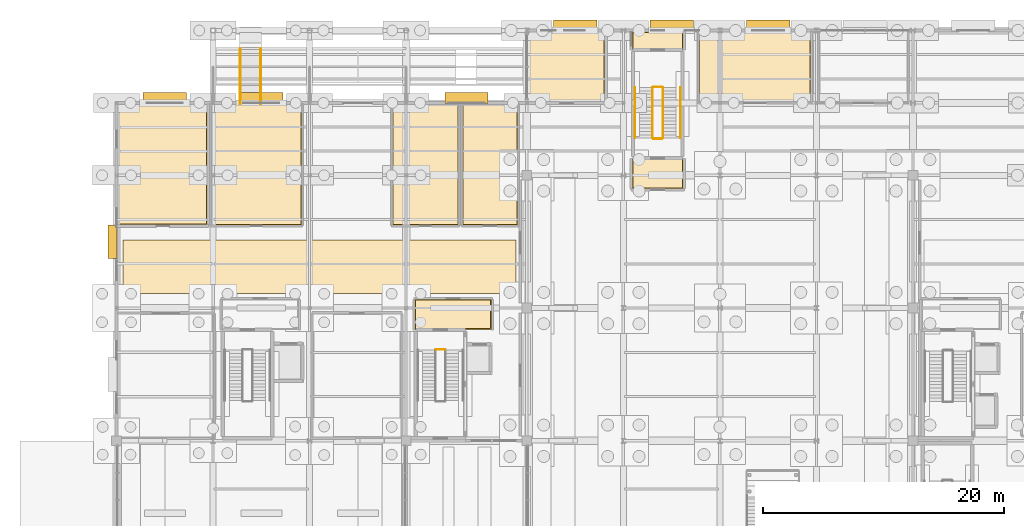
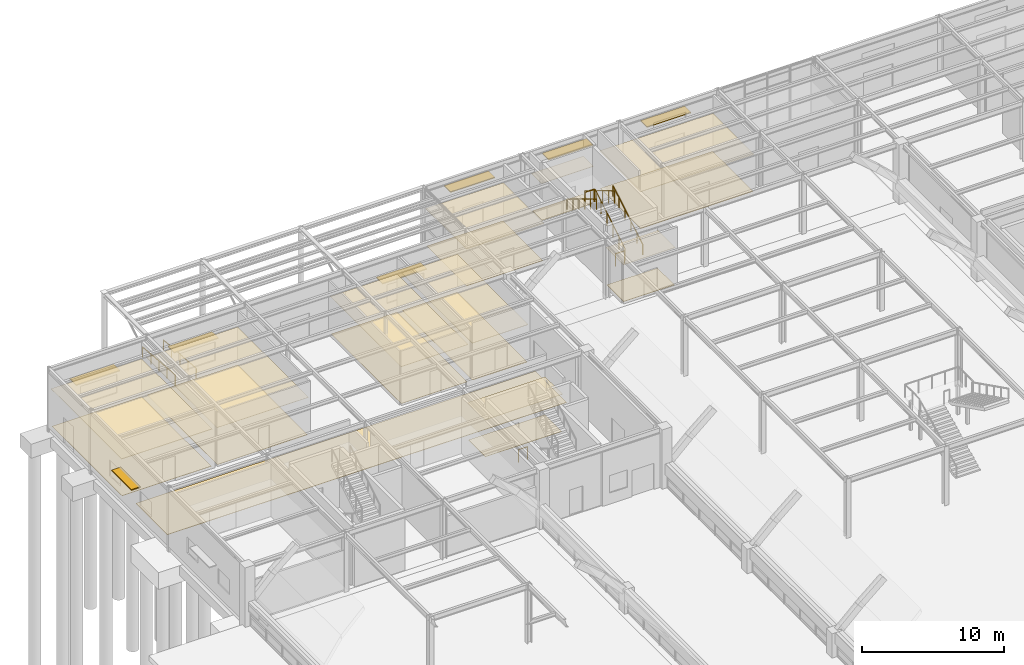
# One storey, part 123 of 129: 19 coverings, 9 railings, 7 shading devices.
"""IFC4 building model written with IfcOpenShell, lengths in metres."""

from ifc_helpers import new_model, si_unit, direction, frame, origin, origin_2d, place, context, subcontext, project, spatial, polyline, rectangle, circle, outline, extrude, material, layer, layer_set, type_object, element, save


model = new_model("IFC4")

# Units and contexts
model_context = context("Model", 3, precision=1e-05, world=origin(), true_north=direction((0.0, 1.0)))
body_context = subcontext(model_context, "Body", "Model", "MODEL_VIEW")
ifc_project = project(units=[si_unit("LENGTHUNIT", "METRE"), si_unit("AREAUNIT", "SQUARE_METRE"), si_unit("VOLUMEUNIT", "CUBIC_METRE"), si_unit("PLANEANGLEUNIT", "RADIAN"), si_unit("MASSUNIT", "GRAM", prefix="KILO")], contexts=[model_context])

# Site, building, storey
site_placement = place(None, origin())
site = spatial("IfcSite", under=ifc_project, at=site_placement, CompositionType="ELEMENT")
building_placement = place(site_placement, origin())
building = spatial("IfcBuilding", under=site, at=building_placement, Name="Sitalva Quay Ferry Terminal", CompositionType="ELEMENT")
storey_placement = place(building_placement, origin())
storey = spatial("IfcBuildingStorey", under=building, at=storey_placement, Name="L01", CompositionType="ELEMENT", Elevation=0.0)

# Coverings
ifc_material_1 = material(Name="Perforated Marine Aluminium Acoustic Ceiling", Category="aluminium")
ifc_layer_1 = layer(ifc_material_1, 0.0400390625)
ifc_layer_set_1 = layer_set([ifc_layer_1], Name="Perforated Marine Aluminium Acoustic Ceiling")
covering_type_1 = type_object("IfcCoveringType", Name="Ceiling_AcousticBaffle_40", PredefinedType="CEILING", material=ifc_layer_set_1)
covering_1_placement = place(storey_placement, frame((0.0, 0.0, 3.2099609375)))
element("IfcCovering", 1, at=covering_1_placement, inside=storey, type_object=covering_type_1, Name="Fire Command & Control Room ceiling", PredefinedType="CEILING", context=body_context, shape_type="SweptSolid", body=[
    extrude(outline(polyline([(42.1201171875, 106.114990234375), (48.43505859375, 106.114990234375), (48.43505859375, 111.8798828125), (42.1201171875, 111.8798828125), (42.1201171875, 106.114990234375)])), origin(), (0.0, 0.0, 1.0), 0.0400390625),
])
covering_2_placement = place(storey_placement, frame((0.0, 0.0, 3.2099609375)))
element("IfcCovering", 2, at=covering_2_placement, inside=storey, type_object=covering_type_1, Name="Ferry Ticketing Hall & Counters ceiling", PredefinedType="CEILING", context=body_context, shape_type="SweptSolid", body=[
    extrude(outline(polyline([(56.27490234375, 106.074951171875), (65.52490234375, 106.074951171875), (65.52490234375, 111.8798828125), (56.27490234375, 111.8798828125), (56.27490234375, 106.074951171875)])), origin(), (0.0, 0.0, 1.0), 0.0400390625),
])
covering_3_placement = place(storey_placement, frame((0.0, 0.0, 3.2099609375)))
element("IfcCovering", 3, at=covering_3_placement, inside=storey, type_object=covering_type_1, Name="Left-Luggage & Parcel Vault ceiling", PredefinedType="CEILING", context=body_context, shape_type="SweptSolid", body=[
    extrude(outline(polyline([(8.1201171875, 95.905029296875), (15.4951171875, 95.905029296875), (15.4951171875, 105.8798828125), (8.1201171875, 105.8798828125), (8.1201171875, 95.905029296875)])), origin(), (0.0, 0.0, 1.0), 0.0400390625),
])
ifc_material_2 = material(Name="Moisture-Resistant Acoustic Gypsum Ceiling", Category="gypsum")
ifc_layer_2 = layer(ifc_material_2, 0.02490234375)
ifc_layer_set_2 = layer_set([ifc_layer_2], Name="Moisture-Resistant Acoustic Gypsum Ceiling")
covering_type_2 = type_object("IfcCoveringType", Name="Ceiling_GypsumMoisture_25", PredefinedType="CEILING", material=ifc_layer_set_2)
covering_4_placement = place(storey_placement, frame((0.0, 0.0, 3.22509765625)))
element("IfcCovering", 4, at=covering_4_placement, inside=storey, type_object=covering_type_2, Name="Firefighting & Lift Lobby C5 ceiling", PredefinedType="CEILING", context=body_context, shape_type="SweptSolid", body=[
    extrude(outline(polyline([(32.739990234375, 87.239990234375), (39.06005859375, 87.239990234375), (39.06005859375, 89.7099609375), (32.739990234375, 89.7099609375), (32.739990234375, 87.239990234375)])), origin(), (0.0, 0.0, 1.0), 0.02490234375),
])
covering_5_placement = place(storey_placement, frame((0.0, 0.0, 3.22509765625)))
element("IfcCovering", 5, at=covering_5_placement, inside=storey, type_object=covering_type_2, Name="Firefighting & Lift Lobby C7 ceiling", PredefinedType="CEILING", context=body_context, shape_type="SweptSolid", body=[
    extrude(outline(polyline([(50.739990234375, 98.889892578125), (54.9599609375, 98.889892578125), (54.9599609375, 101.360107421875), (50.739990234375, 101.360107421875), (50.739990234375, 98.889892578125)])), origin(), (0.0, 0.0, 1.0), 0.02490234375),
])
covering_6_placement = place(storey_placement, frame((0.0, 0.0, 3.22509765625)))
element("IfcCovering", 6, at=covering_6_placement, inside=storey, type_object=covering_type_2, Name="Protected Exit Vestibule ST-07 ceiling", PredefinedType="CEILING", context=body_context, shape_type="SweptSolid", body=[
    extrude(outline(polyline([(50.739990234375, 110.43994140625), (54.9599609375, 110.43994140625), (54.9599609375, 111.8798828125), (50.739990234375, 111.8798828125), (50.739990234375, 110.43994140625)])), origin(), (0.0, 0.0, 1.0), 0.02490234375),
])
covering_7_placement = place(storey_placement, frame((0.0, 0.0, 3.22509765625)))
element("IfcCovering", 7, at=covering_7_placement, inside=storey, type_object=covering_type_2, Name="West Concourse Male Public Toilets ceiling", PredefinedType="CEILING", context=body_context, shape_type="SweptSolid", body=[
    extrude(outline(polyline([(15.8701171875, 95.8701171875), (23.330078125, 95.8701171875), (23.330078125, 105.8798828125), (15.8701171875, 105.8798828125), (15.8701171875, 95.8701171875)])), origin(), (0.0, 0.0, 1.0), 0.02490234375),
])
covering_8_placement = place(storey_placement, frame((0.0, 0.0, 3.22509765625)))
element("IfcCovering", 8, at=covering_8_placement, inside=storey, type_object=covering_type_2, Name="West Concourse Female Public Toilets ceiling", PredefinedType="CEILING", context=body_context, shape_type="SweptSolid", body=[
    extrude(outline(polyline([(30.8701171875, 95.8701171875), (36.330078125, 95.8701171875), (36.330078125, 105.8798828125), (30.8701171875, 105.8798828125), (30.8701171875, 95.8701171875)])), origin(), (0.0, 0.0, 1.0), 0.02490234375),
])
covering_9_placement = place(storey_placement, frame((0.0, 0.0, 3.22509765625)))
element("IfcCovering", 9, at=covering_9_placement, inside=storey, type_object=covering_type_2, Name="West Concourse Accessible Toilet & Baby Care ceiling", PredefinedType="CEILING", context=body_context, shape_type="SweptSolid", body=[
    extrude(outline(polyline([(36.669921875, 95.8701171875), (41.22998046875, 95.8701171875), (41.22998046875, 105.8798828125), (36.669921875, 105.8798828125), (36.669921875, 95.8701171875)])), origin(), (0.0, 0.0, 1.0), 0.02490234375),
])
ifc_material_3 = material(Name="Heavy-Duty Acoustic Resilient Flooring", Category="polymer")
ifc_layer_3 = layer(ifc_material_3, 0.014892578125)
ifc_layer_set_3 = layer_set([ifc_layer_3], Name="Heavy-Duty Acoustic Resilient Flooring")
covering_type_3 = type_object("IfcCoveringType", Name="Finish_AcousticVinyl_15", PredefinedType="FLOORING", material=ifc_layer_set_3)
covering_10_placement = place(storey_placement, origin())
element("IfcCovering", 10, at=covering_10_placement, inside=storey, type_object=covering_type_3, Name="Fire Command & Control Room floor finish", PredefinedType="FLOORING", context=body_context, shape_type="SweptSolid", body=[
    extrude(outline(polyline([(42.169921875, 106.1650390625), (48.385009765625, 106.1650390625), (48.385009765625, 111.830078125), (42.169921875, 111.830078125), (42.169921875, 106.1650390625)])), origin(), (0.0, 0.0, 1.0), 0.014892578125),
])
ifc_material_4 = material(Name="Anti-Slip Porcelain Tile", Category="ceramic")
ifc_layer_4 = layer(ifc_material_4, 0.02001953125)
ifc_layer_set_4 = layer_set([ifc_layer_4], Name="Anti-Slip Porcelain Tile")
covering_type_4 = type_object("IfcCoveringType", Name="Finish_CeramicWet_20", PredefinedType="FLOORING", material=ifc_layer_set_4)
covering_11_placement = place(storey_placement, origin())
element("IfcCovering", 11, at=covering_11_placement, inside=storey, type_object=covering_type_4, Name="West Concourse Male Public Toilets floor finish", PredefinedType="FLOORING", context=body_context, shape_type="SweptSolid", body=[
    extrude(outline(polyline([(15.919921875, 95.919921875), (23.280029296875, 95.919921875), (23.280029296875, 105.830078125), (15.919921875, 105.830078125), (15.919921875, 95.919921875)])), origin(), (0.0, 0.0, 1.0), 0.02001953125),
])
covering_12_placement = place(storey_placement, origin())
element("IfcCovering", 12, at=covering_12_placement, inside=storey, type_object=covering_type_4, Name="West Concourse Female Public Toilets floor finish", PredefinedType="FLOORING", context=body_context, shape_type="SweptSolid", body=[
    extrude(outline(polyline([(30.919921875, 95.919921875), (36.280029296875, 95.919921875), (36.280029296875, 105.830078125), (30.919921875, 105.830078125), (30.919921875, 95.919921875)])), origin(), (0.0, 0.0, 1.0), 0.02001953125),
])
covering_13_placement = place(storey_placement, origin())
element("IfcCovering", 13, at=covering_13_placement, inside=storey, type_object=covering_type_4, Name="West Concourse Accessible Toilet & Baby Care floor finish", PredefinedType="FLOORING", context=body_context, shape_type="SweptSolid", body=[
    extrude(outline(polyline([(36.719970703125, 95.919921875), (41.179931640625, 95.919921875), (41.179931640625, 105.830078125), (36.719970703125, 105.830078125), (36.719970703125, 95.919921875)])), origin(), (0.0, 0.0, 1.0), 0.02001953125),
])
ifc_material_5 = material(Name="Flamed Non-Slip Granite Paving", Category="masonry")
ifc_layer_5 = layer(ifc_material_5, 0.034912109375)
ifc_layer_set_5 = layer_set([ifc_layer_5], Name="Flamed Non-Slip Granite Paving")
covering_type_5 = type_object("IfcCoveringType", Name="Finish_Granite_35", PredefinedType="FLOORING", material=ifc_layer_set_5)
covering_14_placement = place(storey_placement, origin())
element("IfcCovering", 14, at=covering_14_placement, inside=storey, type_object=covering_type_5, Name="Firefighting & Lift Lobby C5 floor finish", PredefinedType="FLOORING", context=body_context, shape_type="SweptSolid", body=[
    extrude(outline(polyline([(32.7900390625, 87.2900390625), (39.010009765625, 87.2900390625), (39.010009765625, 89.659912109375), (32.7900390625, 89.659912109375), (32.7900390625, 87.2900390625)])), origin(), (0.0, 0.0, 1.0), 0.034912109375),
])
covering_15_placement = place(storey_placement, origin())
element("IfcCovering", 15, at=covering_15_placement, inside=storey, type_object=covering_type_5, Name="Firefighting & Lift Lobby C7 floor finish", PredefinedType="FLOORING", context=body_context, shape_type="SweptSolid", body=[
    extrude(outline(polyline([(50.7900390625, 98.93994140625), (54.909912109375, 98.93994140625), (54.909912109375, 101.31005859375), (50.7900390625, 101.31005859375), (50.7900390625, 98.93994140625)])), origin(), (0.0, 0.0, 1.0), 0.034912109375),
])
covering_16_placement = place(storey_placement, origin())
element("IfcCovering", 16, at=covering_16_placement, inside=storey, type_object=covering_type_5, Name="Protected Exit Vestibule ST-07 floor finish", PredefinedType="FLOORING", context=body_context, shape_type="SweptSolid", body=[
    extrude(outline(polyline([(50.7900390625, 110.489990234375), (54.909912109375, 110.489990234375), (54.909912109375, 111.830078125), (50.7900390625, 111.830078125), (50.7900390625, 110.489990234375)])), origin(), (0.0, 0.0, 1.0), 0.034912109375),
])
covering_17_placement = place(storey_placement, origin())
element("IfcCovering", 17, at=covering_17_placement, inside=storey, type_object=covering_type_5, Name="West Landward Terminal Concourse Spine flooring", PredefinedType="FLOORING", context=body_context, shape_type="SweptSolid", body=[
    extrude(outline(polyline([(8.550048828125, 90.199951171875), (41.10009765625, 90.199951171875), (41.10009765625, 94.64990234375), (8.550048828125, 94.64990234375), (8.550048828125, 90.199951171875)])), origin(), (0.0, 0.0, 1.0), 0.034912109375),
])
ifc_material_6 = material(Name="Polished River-Stone Terrazzo", Category="masonry")
ifc_layer_6 = layer(ifc_material_6, 0.030029296875)
ifc_layer_set_6 = layer_set([ifc_layer_6], Name="Polished River-Stone Terrazzo")
covering_type_6 = type_object("IfcCoveringType", Name="Finish_Terrazzo_30", PredefinedType="FLOORING", material=ifc_layer_set_6)
covering_18_placement = place(storey_placement, origin())
element("IfcCovering", 18, at=covering_18_placement, inside=storey, type_object=covering_type_6, Name="Ferry Ticketing Hall & Counters floor finish", PredefinedType="FLOORING", context=body_context, shape_type="SweptSolid", body=[
    extrude(outline(polyline([(56.324951171875, 106.125), (65.47509765625, 106.125), (65.47509765625, 111.830078125), (56.324951171875, 111.830078125), (56.324951171875, 106.125)])), origin(), (0.0, 0.0, 1.0), 0.030029296875),
])
covering_19_placement = place(storey_placement, origin())
element("IfcCovering", 19, at=covering_19_placement, inside=storey, type_object=covering_type_6, Name="Left-Luggage & Parcel Vault floor finish", PredefinedType="FLOORING", context=body_context, shape_type="SweptSolid", body=[
    extrude(outline(polyline([(8.169921875, 95.955078125), (15.445068359375, 95.955078125), (15.445068359375, 105.830078125), (8.169921875, 105.830078125), (8.169921875, 95.955078125)])), origin(), (0.0, 0.0, 1.0), 0.030029296875),
])

# Railings
ifc_material_7 = material(Name="Galvanised Steel S275JR", Category="steel")
railing_type_1 = type_object("IfcRailingType", Name="Railing_Guard_1100", PredefinedType="GUARDRAIL", material=ifc_material_7)
railing_1_placement = place(storey_placement, frame((34.47998046875, 85.570068359375, 0.0)))
element("IfcRailing", 20, at=railing_1_placement, inside=storey, type_object=railing_type_1, Name="L01 ST-05 stair guard 4", PredefinedType="GUARDRAIL", context=body_context, shape_type="SweptSolid", body=[
    extrude(circle(Radius=0.02392578125, at=origin_2d()), frame((0.0, 0.0, 1.076171875), z_axis=(1.0, 0.0, 0.0), x_axis=(0.0, 1.0, 0.0)), (0.0, 0.0, 1.0), 0.739990234375),
    extrude(circle(Radius=0.02099609375, at=origin_2d()), origin(), (0.0, 0.0, 1.0), 1.052001953125),
    extrude(circle(Radius=0.02099609375, at=origin_2d()), frame((0.739990234375, 0.0, 0.0)), (0.0, 0.0, 1.0), 1.052001953125),
])
railing_2_placement = place(storey_placement, frame((53.27001953125, 103.080078125, 0.168701171875)))
element("IfcRailing", 21, at=railing_2_placement, inside=storey, type_object=railing_type_1, Name="L01 ST-07 stair guard 1", PredefinedType="GUARDRAIL", context=body_context, shape_type="SweptSolid", body=[
    extrude(circle(Radius=0.02392578125, at=origin_2d()), frame((0.0, 0.0, 1.076171875), z_axis=(0.0, 0.856476492594, 0.516186030065), x_axis=(-1.0, 0.0, 0.0)), (0.0, 0.0, 1.0), 4.90380859375),
    extrude(circle(Radius=0.02099609375, at=origin_2d()), origin(), (0.0, 0.0, 1.0), 1.052001953125),
    extrude(circle(Radius=0.02099609375, at=origin_2d()), frame((0.0, 0.840087890625, 0.50634765625)), (0.0, 0.0, 1.0), 1.052001953125),
    extrude(circle(Radius=0.02099609375, at=origin_2d()), frame((0.0, 1.679931640625, 1.012451171875)), (0.0, 0.0, 1.0), 1.052001953125),
    extrude(circle(Radius=0.02099609375, at=origin_2d()), frame((0.0, 2.52001953125, 1.518798828125)), (0.0, 0.0, 1.0), 1.052001953125),
    extrude(circle(Radius=0.02099609375, at=origin_2d()), frame((0.0, 3.35986328125, 2.02490234375)), (0.0, 0.0, 1.0), 1.052001953125),
    extrude(circle(Radius=0.02099609375, at=origin_2d()), frame((0.0, 4.199951171875, 2.53125)), (0.0, 0.0, 1.0), 1.052001953125),
])
railing_3_placement = place(storey_placement, frame((53.219970703125, 107.330078125, 2.699951171875)))
element("IfcRailing", 22, at=railing_3_placement, inside=storey, type_object=railing_type_1, Name="L01 ST-07 stair guard 2", PredefinedType="GUARDRAIL", context=body_context, shape_type="SweptSolid", body=[
    extrude(circle(Radius=0.02392578125, at=origin_2d()), frame((0.0, 0.0, 1.076171875), z_axis=(-1.0, 0.0, 0.0), x_axis=(0.0, -1.0, 0.0)), (0.0, 0.0, 1.0), 0.739990234375),
    extrude(circle(Radius=0.02099609375, at=origin_2d()), origin(), (0.0, 0.0, 1.0), 1.052001953125),
    extrude(circle(Radius=0.02099609375, at=origin_2d()), frame((-0.739990234375, 0.0, 0.0)), (0.0, 0.0, 1.0), 1.052001953125),
])
railing_4_placement = place(storey_placement, frame((52.429931640625, 107.280029296875, 2.86865234375)))
element("IfcRailing", 23, at=railing_4_placement, inside=storey, type_object=railing_type_1, Name="L01 ST-07 stair guard 3", PredefinedType="GUARDRAIL", context=body_context, shape_type="SweptSolid", body=[
    extrude(circle(Radius=0.02392578125, at=origin_2d()), frame((0.0, 0.0, 1.076171875), z_axis=(0.0, -0.856476492594, 0.516186030065), x_axis=(1.0, 0.0, 0.0)), (0.0, 0.0, 1.0), 4.90380859375),
    extrude(circle(Radius=0.02099609375, at=origin_2d()), origin(), (0.0, 0.0, 1.0), 1.052001953125),
    extrude(circle(Radius=0.02099609375, at=origin_2d()), frame((0.0, -0.840087890625, 0.50634765625)), (0.0, 0.0, 1.0), 1.052001953125),
    extrude(circle(Radius=0.02099609375, at=origin_2d()), frame((0.0, -1.679931640625, 1.012451171875)), (0.0, 0.0, 1.0), 1.052001953125),
    extrude(circle(Radius=0.02099609375, at=origin_2d()), frame((0.0, -2.52001953125, 1.518798828125)), (0.0, 0.0, 1.0), 1.052001953125),
    extrude(circle(Radius=0.02099609375, at=origin_2d()), frame((0.0, -3.35986328125, 2.02490234375)), (0.0, 0.0, 1.0), 1.052001953125),
    extrude(circle(Radius=0.02099609375, at=origin_2d()), frame((0.0, -4.199951171875, 2.53125)), (0.0, 0.0, 1.0), 1.052001953125),
])
railing_5_placement = place(storey_placement, frame((53.219970703125, 103.030029296875, 0.0)))
element("IfcRailing", 24, at=railing_5_placement, inside=storey, type_object=railing_type_1, Name="L01 ST-07 stair guard 4", PredefinedType="GUARDRAIL", context=body_context, shape_type="SweptSolid", body=[
    extrude(circle(Radius=0.02392578125, at=origin_2d()), frame((0.0, 0.0, 1.076171875), z_axis=(-1.0, 0.0, 0.0), x_axis=(0.0, -1.0, 0.0)), (0.0, 0.0, 1.0), 0.739990234375),
    extrude(circle(Radius=0.02099609375, at=origin_2d()), origin(), (0.0, 0.0, 1.0), 1.052001953125),
    extrude(circle(Radius=0.02099609375, at=origin_2d()), frame((-0.739990234375, 0.0, 0.0)), (0.0, 0.0, 1.0), 1.052001953125),
])
ifc_material_8 = material(Name="Stainless Steel 316L", Category="steel")
railing_type_2 = type_object("IfcRailingType", Name="Railing_Handrail_900", PredefinedType="HANDRAIL", material=ifc_material_8)
railing_6_placement = place(storey_placement, frame((54.72998046875, 103.080078125, 0.168701171875)))
element("IfcRailing", 25, at=railing_6_placement, inside=storey, type_object=railing_type_2, Name="L01 ST-07 stair handrail 1", PredefinedType="HANDRAIL", context=body_context, shape_type="SweptSolid", body=[
    extrude(circle(Radius=0.02392578125, at=origin_2d()), frame((0.0, 0.0, 0.8759765625), z_axis=(0.0, 0.856476492594, 0.516186030065), x_axis=(-1.0, 0.0, 0.0)), (0.0, 0.0, 1.0), 4.90380859375),
    extrude(circle(Radius=0.02099609375, at=origin_2d()), origin(), (0.0, 0.0, 1.0), 0.851806640625),
    extrude(circle(Radius=0.02099609375, at=origin_2d()), frame((0.0, 0.840087890625, 0.50634765625)), (0.0, 0.0, 1.0), 0.851806640625),
    extrude(circle(Radius=0.02099609375, at=origin_2d()), frame((0.0, 1.679931640625, 1.012451171875)), (0.0, 0.0, 1.0), 0.851806640625),
    extrude(circle(Radius=0.02099609375, at=origin_2d()), frame((0.0, 2.52001953125, 1.518798828125)), (0.0, 0.0, 1.0), 0.851806640625),
    extrude(circle(Radius=0.02099609375, at=origin_2d()), frame((0.0, 3.35986328125, 2.02490234375)), (0.0, 0.0, 1.0), 0.851806640625),
    extrude(circle(Radius=0.02099609375, at=origin_2d()), frame((0.0, 4.199951171875, 2.53125)), (0.0, 0.0, 1.0), 0.851806640625),
])
railing_7_placement = place(storey_placement, frame((50.969970703125, 107.280029296875, 2.86865234375)))
element("IfcRailing", 26, at=railing_7_placement, inside=storey, type_object=railing_type_2, Name="L01 ST-07 stair handrail 2", PredefinedType="HANDRAIL", context=body_context, shape_type="SweptSolid", body=[
    extrude(circle(Radius=0.02392578125, at=origin_2d()), frame((0.0, 0.0, 0.8759765625), z_axis=(0.0, -0.856476492594, 0.516186030065), x_axis=(1.0, 0.0, 0.0)), (0.0, 0.0, 1.0), 4.90380859375),
    extrude(circle(Radius=0.02099609375, at=origin_2d()), origin(), (0.0, 0.0, 1.0), 0.851806640625),
    extrude(circle(Radius=0.02099609375, at=origin_2d()), frame((0.0, -0.840087890625, 0.50634765625)), (0.0, 0.0, 1.0), 0.851806640625),
    extrude(circle(Radius=0.02099609375, at=origin_2d()), frame((0.0, -1.679931640625, 1.012451171875)), (0.0, 0.0, 1.0), 0.851806640625),
    extrude(circle(Radius=0.02099609375, at=origin_2d()), frame((0.0, -2.52001953125, 1.518798828125)), (0.0, 0.0, 1.0), 0.851806640625),
    extrude(circle(Radius=0.02099609375, at=origin_2d()), frame((0.0, -3.35986328125, 2.02490234375)), (0.0, 0.0, 1.0), 0.851806640625),
    extrude(circle(Radius=0.02099609375, at=origin_2d()), frame((0.0, -4.199951171875, 2.53125)), (0.0, 0.0, 1.0), 0.851806640625),
])
for number, where, name in (
    (27, (18.25, 110.5, -0.3798828125), "West landside entrance accessible ramp handrail 1"),
    (28, (19.949951171875, 110.5, -0.3798828125), "West landside entrance accessible ramp handrail 2"),
):
    element("IfcRailing", number, at=place(storey_placement, frame(where)), inside=storey, type_object=railing_type_2, Name=name, PredefinedType="HANDRAIL", context=body_context, shape_type="SweptSolid", body=[
        extrude(circle(Radius=0.02392578125, at=origin_2d()), frame((0.0, 0.0, 0.8759765625), z_axis=(0.0, -0.99660749274, 0.082301308709), x_axis=(1.0, 0.0, 0.0)), (0.0, 0.0, 1.0), 4.61572265625),
        extrude(circle(Radius=0.02099609375, at=origin_2d()), origin(), (0.0, 0.0, 1.0), 0.851806640625),
        extrude(circle(Radius=0.02099609375, at=origin_2d()), frame((0.0, -1.14990234375, 0.094970703125)), (0.0, 0.0, 1.0), 0.851806640625),
        extrude(circle(Radius=0.02099609375, at=origin_2d()), frame((0.0, -2.300048828125, 0.18994140625)), (0.0, 0.0, 1.0), 0.851806640625),
        extrude(circle(Radius=0.02099609375, at=origin_2d()), frame((0.0, -3.4501953125, 0.284912109375)), (0.0, 0.0, 1.0), 0.851806640625),
        extrude(circle(Radius=0.02099609375, at=origin_2d()), frame((0.0, -4.60009765625, 0.3798828125)), (0.0, 0.0, 1.0), 0.851806640625),
    ])

# Shading devices
ifc_material_9 = material(Name="Anodised Marine Aluminium 6063-T6", Category="aluminium")
shading_device_type_1 = type_object("IfcShadingDeviceType", Name="Shade_HorizontalLouvre_750", PredefinedType="USERDEFINED", material=ifc_material_9)
shading_device_placement = place(storey_placement, frame((7.655029296875, 94.5, 2.5126953125), z_axis=(0.0, 0.0, 1.0), x_axis=(1.0, 0.0, 0.0)))
element("IfcShadingDevice", 29, at=shading_device_placement, inside=storey, type_object=shading_device_type_1, Name="Monsoon sunshade canopy BS-024", ObjectType="SUNSHADE", PredefinedType="USERDEFINED", context=body_context, shape_type="SweptSolid", body=[
    extrude(rectangle(XDim=0.75, YDim=2.800048828125, at=origin_2d()), origin(), (0.0, 0.0, 1.0), 0.074951171875),
])
ifc_material_10 = material(Name="Anodised Marine Aluminium 6063-T6", Category="aluminium")
shading_device_type_2 = type_object("IfcShadingDeviceType", Name="Shade_HorizontalLouvre_900", PredefinedType="USERDEFINED", material=ifc_material_10)
for number, where, z_axis, x_axis, name in (
    (30, (12.0, 106.419921875, 2.70751953125), (0.0, 0.0, 1.0), (1.0, 0.0, 0.0), "Monsoon sunshade canopy BS-025"),
    (31, (20.0, 106.419921875, 2.70751953125), (0.0, 0.0, 1.0), (1.0, 0.0, 0.0), "Monsoon sunshade canopy BS-026"),
    (32, (37.0, 106.419921875, 2.70751953125), (0.0, 0.0, 1.0), (1.0, 0.0, 0.0), "Monsoon sunshade canopy BS-027"),
    (33, (46.0, 112.419921875, 3.8076171875), (0.0, 0.0, 1.0), (1.0, 0.0, 0.0), "Monsoon sunshade canopy BS-031"),
    (34, (54.0, 112.419921875, 3.8076171875), (0.0, 0.0, 1.0), (1.0, 0.0, 0.0), "Monsoon sunshade canopy BS-032"),
    (35, (62.0, 112.419921875, 3.8076171875), (0.0, 0.0, 1.0), (1.0, 0.0, 0.0), "Monsoon sunshade canopy BS-033"),
):
    element("IfcShadingDevice", number, at=place(storey_placement, frame(where, z_axis=z_axis, x_axis=x_axis)), inside=storey, type_object=shading_device_type_2, Name=name, ObjectType="SUNSHADE", PredefinedType="USERDEFINED", context=body_context, shape_type="SweptSolid", body=[
        extrude(rectangle(XDim=3.60009765625, YDim=0.89990234375, at=origin_2d()), origin(), (0.0, 0.0, 1.0), 0.0849609375),
    ])

save(model, "model.ifc")
